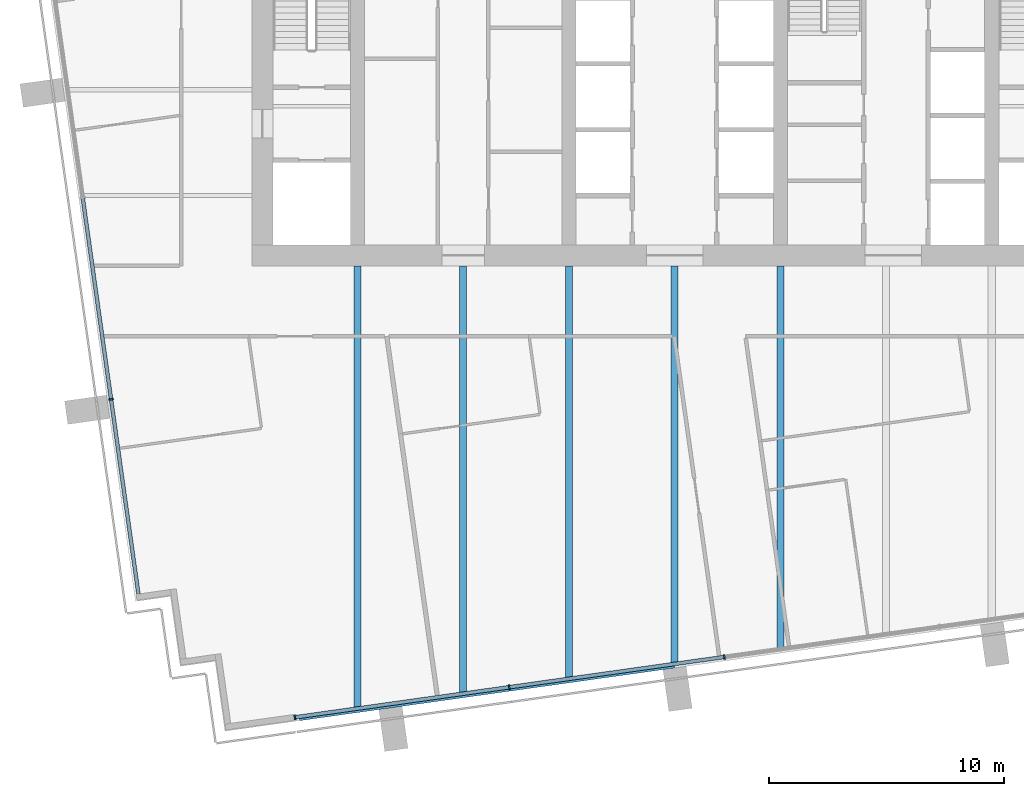
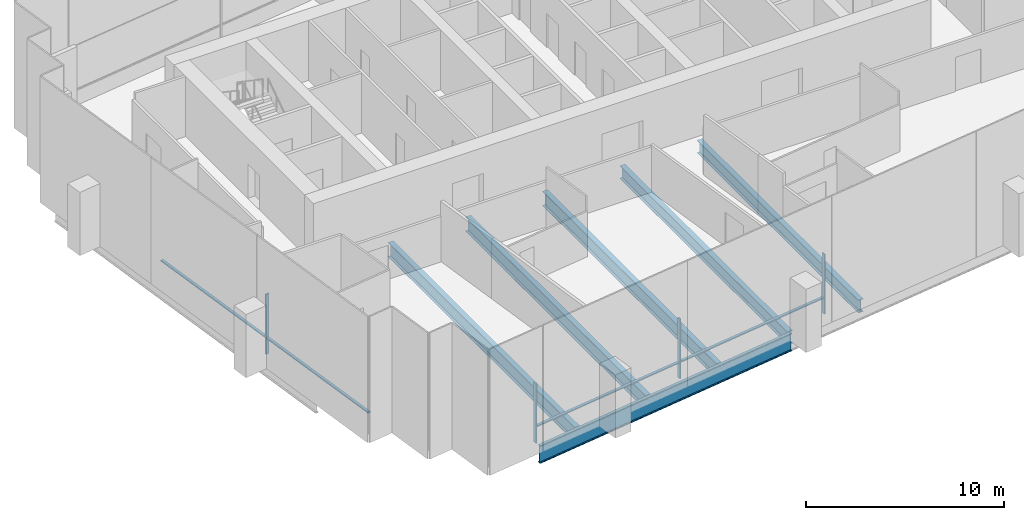
# One storey, part 2 of 15: 8 members, 6 beams, 2 elements without a shape of their own.
"""IFC4 building model written with IfcOpenShell, lengths in metres."""

from ifc_helpers import new_model, si_unit, direction, frame, origin, origin_2d, place, context, subcontext, project, spatial, rectangle, i_section, extrude, material, layer, layer_set, material_profile, profile_set, type_object, element, aggregate, save


model = new_model("IFC4")

# Units and contexts
model_context = context("Model", 3, precision=1e-05, world=origin(), true_north=direction((0.0, 1.0)))
body_context = subcontext(model_context, "Body", "Model", "MODEL_VIEW")
ifc_project = project(units=[si_unit("LENGTHUNIT", "METRE"), si_unit("AREAUNIT", "SQUARE_METRE"), si_unit("VOLUMEUNIT", "CUBIC_METRE"), si_unit("PLANEANGLEUNIT", "RADIAN"), si_unit("MASSUNIT", "GRAM", prefix="KILO")], contexts=[model_context])

# Site, building, storey
site_placement = place(None, origin())
site = spatial("IfcSite", under=ifc_project, at=site_placement, CompositionType="ELEMENT")
building_placement = place(site_placement, origin())
building = spatial("IfcBuilding", under=site, at=building_placement, Name="Rattan Terrace Tower", CompositionType="ELEMENT")
storey_placement = place(building_placement, frame((0.0, 0.0, 278.5)))
storey = spatial("IfcBuildingStorey", under=building, at=storey_placement, Name="L64", CompositionType="ELEMENT", Elevation=278.5)

# Beams
ifc_material_1 = material(Name="Steel S460", Category="steel")
ifc_material_profile_1 = material_profile(ifc_material_1, i_section(OverallWidth=0.179931640625, OverallDepth=1.10009765625, WebThickness=0.01611328125, FlangeThickness=0.050048828125, at=origin_2d()), Name="PG 1100x180-16-50")
ifc_profile_set_1 = profile_set([ifc_material_profile_1], Name="Steel S460")
beam_type_1 = type_object("IfcBeamType", Name="Frame edge girder PG 1100x180-16-50", PredefinedType="SPANDREL", material=ifc_profile_set_1)
beam_1_placement = place(storey_placement, frame((-15.969970703125, -26.77099609375, -0.75), z_axis=(0.990265456284, 0.139191688294, 0.0), x_axis=(-0.139191688294, 0.990265456284, 0.0)))
element("IfcBeam", 1, at=beam_1_placement, inside=storey, type_object=beam_type_1, Name="gdr-L64-001", PredefinedType="SPANDREL", context=body_context, shape_type="SweptSolid", body=[
    extrude(i_section(OverallWidth=0.179931640625, OverallDepth=1.10009765625, WebThickness=0.01611328125, FlangeThickness=0.050048828125, at=origin_2d()), origin(), (0.0, 0.0, 1.0), 16.114013671875),
])
ifc_material_2 = material(Name="Steel S355", Category="steel")
ifc_material_profile_2 = material_profile(ifc_material_2, i_section(OverallWidth=0.300048828125, OverallDepth=0.800048828125, WebThickness=0.017578125, FlangeThickness=0.032958984375, FilletRadius=0.030029296875, at=origin_2d()), Name="HE 800 B")
ifc_profile_set_2 = profile_set([ifc_material_profile_2], Name="Steel S355")
beam_type_2 = type_object("IfcBeamType", Name="Frame floor beam HE 800 B", PredefinedType="JOIST", material=ifc_profile_set_2)
beam_2_placement = place(storey_placement, frame((0.0, -24.4140625, -0.60009765625), z_axis=(0.0, 1.0, 0.0), x_axis=(-1.0, 0.0, 0.0)))
element("IfcBeam", 2, at=beam_2_placement, inside=storey, type_object=beam_type_2, Name="bm-L64-006", PredefinedType="JOIST", context=body_context, shape_type="SweptSolid", body=[
    extrude(i_section(OverallWidth=0.300048828125, OverallDepth=0.800048828125, WebThickness=0.017578125, FlangeThickness=0.032958984375, FilletRadius=0.030029296875, at=origin_2d()), origin(), (0.0, 0.0, 1.0), 16.9140625),
])
beam_3_placement = place(storey_placement, frame((4.5, -23.781982421875, -0.60009765625), z_axis=(0.0, 1.0, 0.0), x_axis=(-1.0, 0.0, 0.0)))
element("IfcBeam", 3, at=beam_3_placement, inside=storey, type_object=beam_type_2, Name="bm-L64-007", PredefinedType="JOIST", context=body_context, shape_type="SweptSolid", body=[
    extrude(i_section(OverallWidth=0.300048828125, OverallDepth=0.800048828125, WebThickness=0.017578125, FlangeThickness=0.032958984375, FilletRadius=0.030029296875, at=origin_2d()), origin(), (0.0, 0.0, 1.0), 16.281982421875),
])
ifc_material_3 = material(Name="Steel S355", Category="steel")
ifc_material_profile_3 = material_profile(ifc_material_3, i_section(OverallWidth=0.300048828125, OverallDepth=0.89990234375, WebThickness=0.0185546875, FlangeThickness=0.034912109375, FilletRadius=0.030029296875, at=origin_2d()), Name="HE 900 B")
ifc_profile_set_3 = profile_set([ifc_material_profile_3], Name="Steel S355")
beam_type_3 = type_object("IfcBeamType", Name="Frame floor beam HE 900 B", PredefinedType="JOIST", material=ifc_profile_set_3)
beam_4_placement = place(storey_placement, frame((-13.5, -26.31201171875, -0.64990234375), z_axis=(0.0, 1.0, 0.0), x_axis=(-1.0, 0.0, 0.0)))
element("IfcBeam", 4, at=beam_4_placement, inside=storey, type_object=beam_type_3, Name="bm-L64-003", PredefinedType="JOIST", context=body_context, shape_type="SweptSolid", body=[
    extrude(i_section(OverallWidth=0.300048828125, OverallDepth=0.89990234375, WebThickness=0.0185546875, FlangeThickness=0.034912109375, FilletRadius=0.030029296875, at=origin_2d()), origin(), (0.0, 0.0, 1.0), 18.81201171875),
])
beam_5_placement = place(storey_placement, frame((-9.0, -25.678955078125, -0.64990234375), z_axis=(0.0, 1.0, 0.0), x_axis=(-1.0, 0.0, 0.0)))
element("IfcBeam", 5, at=beam_5_placement, inside=storey, type_object=beam_type_3, Name="bm-L64-004", PredefinedType="JOIST", context=body_context, shape_type="SweptSolid", body=[
    extrude(i_section(OverallWidth=0.300048828125, OverallDepth=0.89990234375, WebThickness=0.0185546875, FlangeThickness=0.034912109375, FilletRadius=0.030029296875, at=origin_2d()), origin(), (0.0, 0.0, 1.0), 18.178955078125),
])
beam_6_placement = place(storey_placement, frame((-4.5, -25.047119140625, -0.64990234375), z_axis=(0.0, 1.0, 0.0), x_axis=(-1.0, 0.0, 0.0)))
element("IfcBeam", 6, at=beam_6_placement, inside=storey, type_object=beam_type_3, Name="bm-L64-005", PredefinedType="JOIST", context=body_context, shape_type="SweptSolid", body=[
    extrude(i_section(OverallWidth=0.300048828125, OverallDepth=0.89990234375, WebThickness=0.0185546875, FlangeThickness=0.034912109375, FilletRadius=0.030029296875, at=origin_2d()), origin(), (0.0, 0.0, 1.0), 17.547119140625),
])

# Curtain wall, member
ifc_material_4 = material(Name="Aluminium and laminated glass", Category="aluminium")
ifc_layer = layer(ifc_material_4, 0.199951171875)
ifc_layer_set = layer_set([ifc_layer], Name="High-Zone Unitised Curtain Wall")
curtain_wall_type = type_object("IfcCurtainWallType", Name="High-Zone Unitised Curtain Wall", PredefinedType="NOTDEFINED", material=ifc_layer_set)
curtain_wall_1_placement = place(storey_placement, origin())
curtain_wall_1 = element("IfcCurtainWall", 7, at=curtain_wall_1_placement, inside=storey, type_object=curtain_wall_type, Name="High-zone curtain wall L64-3", PredefinedType="NOTDEFINED")
ifc_material_5 = material(Name="Aluminium", Category="aluminium")
ifc_material_profile_4 = material_profile(ifc_material_5, rectangle(XDim=0.070068359375, YDim=0.199951171875, at=origin_2d()), Name="Aluminium 70x200")
ifc_profile_set_4 = profile_set([ifc_material_profile_4], Name="Aluminium")
member_type_1 = type_object("IfcMemberType", Name="High-Zone CW Mullion 70x200", PredefinedType="MULLION", material=ifc_profile_set_4)
member_1_placement = place(storey_placement, frame((-23.989990234375, -13.177490234375, 0.0), z_axis=(0.0, 0.0, 1.0), x_axis=(0.139191775431, -0.990265444036, 0.0)))
member_1 = element("IfcMember", 8, at=member_1_placement, type_object=member_type_1, Name="Mullion cwl-L64-003.3", PredefinedType="MULLION", context=body_context, shape_type="SweptSolid", body=[
    extrude(rectangle(XDim=0.070068359375, YDim=0.199951171875, at=origin_2d()), origin(), (0.0, 0.0, 1.0), 3.699951171875),
])

# Curtain wall, members
curtain_wall_2_placement = place(storey_placement, origin())
curtain_wall_2 = element("IfcCurtainWall", 9, at=curtain_wall_2_placement, inside=storey, type_object=curtain_wall_type, Name="High-zone curtain wall L64-4", PredefinedType="NOTDEFINED")
member_2_placement = place(storey_placement, frame((-16.1650390625, -26.716796875, 0.0), z_axis=(0.0, 0.0, 1.0), x_axis=(0.990265894013, 0.139188574079, 0.0)))
member_2 = element("IfcMember", 10, at=member_2_placement, type_object=member_type_1, Name="Mullion cwl-L64-004.1", PredefinedType="MULLION", context=body_context, shape_type="SweptSolid", body=[
    extrude(rectangle(XDim=0.070068359375, YDim=0.199951171875, at=origin_2d()), origin(), (0.0, 0.0, 1.0), 3.699951171875),
])
member_3_placement = place(storey_placement, frame((-7.040771484375, -25.434326171875, 0.0), z_axis=(0.0, 0.0, 1.0), x_axis=(0.990265894013, 0.139188574079, 0.0)))
member_3 = element("IfcMember", 11, at=member_3_placement, type_object=member_type_1, Name="Mullion cwl-L64-004.2", PredefinedType="MULLION", context=body_context, shape_type="SweptSolid", body=[
    extrude(rectangle(XDim=0.070068359375, YDim=0.199951171875, at=origin_2d()), origin(), (0.0, 0.0, 1.0), 3.699951171875),
])
member_4_placement = place(storey_placement, frame((2.1181640625, -24.14697265625, 0.0), z_axis=(0.0, 0.0, 1.0), x_axis=(0.990265894013, 0.139188574079, 0.0)))
member_4 = element("IfcMember", 12, at=member_4_placement, type_object=member_type_1, Name="Mullion cwl-L64-004.3", PredefinedType="MULLION", context=body_context, shape_type="SweptSolid", body=[
    extrude(rectangle(XDim=0.070068359375, YDim=0.199951171875, at=origin_2d()), origin(), (0.0, 0.0, 1.0), 3.699951171875),
])

# Member
ifc_material_6 = material(Name="Aluminium", Category="aluminium")
ifc_material_profile_5 = material_profile(ifc_material_6, rectangle(XDim=0.159912109375, YDim=0.070068359375, at=origin_2d()), Name="Aluminium 160x70")
ifc_profile_set_5 = profile_set([ifc_material_profile_5], Name="Aluminium")
member_type_2 = type_object("IfcMemberType", Name="High-Zone CW Transom 160x70", PredefinedType="USERDEFINED", material=ifc_profile_set_5)
member_5_placement = place(storey_placement, frame((-25.19140625, -4.629638671875, 1.0), z_axis=(0.139182599995, -0.990266733693, 0.0), x_axis=(0.990266733693, 0.139182599995, 0.0)))
member_5 = element("IfcMember", 13, at=member_5_placement, type_object=member_type_2, Name="Transom cwl-L64-003.2", ObjectType="TRANSOM", PredefinedType="USERDEFINED", context=body_context, shape_type="SweptSolid", body=[
    extrude(rectangle(XDim=0.159912109375, YDim=0.070068359375, at=origin_2d()), origin(), (0.0, 0.0, 1.0), 8.596923828125),
])

member_6_placement = place(storey_placement, frame((-23.985107421875, -13.212158203125, 1.0), z_axis=(0.139198740199, -0.990264465043, 0.0), x_axis=(0.990264465043, 0.139198740199, 0.0)))
member_6 = element("IfcMember", 14, at=member_6_placement, type_object=member_type_2, Name="Transom cwl-L64-003.3", ObjectType="TRANSOM", PredefinedType="USERDEFINED", context=body_context, shape_type="SweptSolid", body=[
    extrude(rectangle(XDim=0.159912109375, YDim=0.070068359375, at=origin_2d()), origin(), (0.0, 0.0, 1.0), 8.336181640625),
])

aggregate(curtain_wall_1, [member_1, member_5, member_6])

member_7_placement = place(storey_placement, frame((-16.13037109375, -26.7119140625, 1.0), z_axis=(0.990266298783, 0.139185694291, 0.0), x_axis=(-0.139185694291, 0.990266298783, 0.0)))
member_7 = element("IfcMember", 15, at=member_7_placement, type_object=member_type_2, Name="Transom cwl-L64-004.1", ObjectType="TRANSOM", PredefinedType="USERDEFINED", context=body_context, shape_type="SweptSolid", body=[
    extrude(rectangle(XDim=0.159912109375, YDim=0.070068359375, at=origin_2d()), origin(), (0.0, 0.0, 1.0), 9.14404296875),
])

member_8_placement = place(storey_placement, frame((-7.006103515625, -25.429443359375, 1.0), z_axis=(0.990266147156, 0.139186773067, 0.0), x_axis=(-0.139186773067, 0.990266147156, 0.0)))
member_8 = element("IfcMember", 16, at=member_8_placement, type_object=member_type_2, Name="Transom cwl-L64-004.2", ObjectType="TRANSOM", PredefinedType="USERDEFINED", context=body_context, shape_type="SweptSolid", body=[
    extrude(rectangle(XDim=0.159912109375, YDim=0.070068359375, at=origin_2d()), origin(), (0.0, 0.0, 1.0), 9.178955078125),
])

aggregate(curtain_wall_2, [member_2, member_3, member_4, member_7, member_8])

save(model, "model.ifc")
